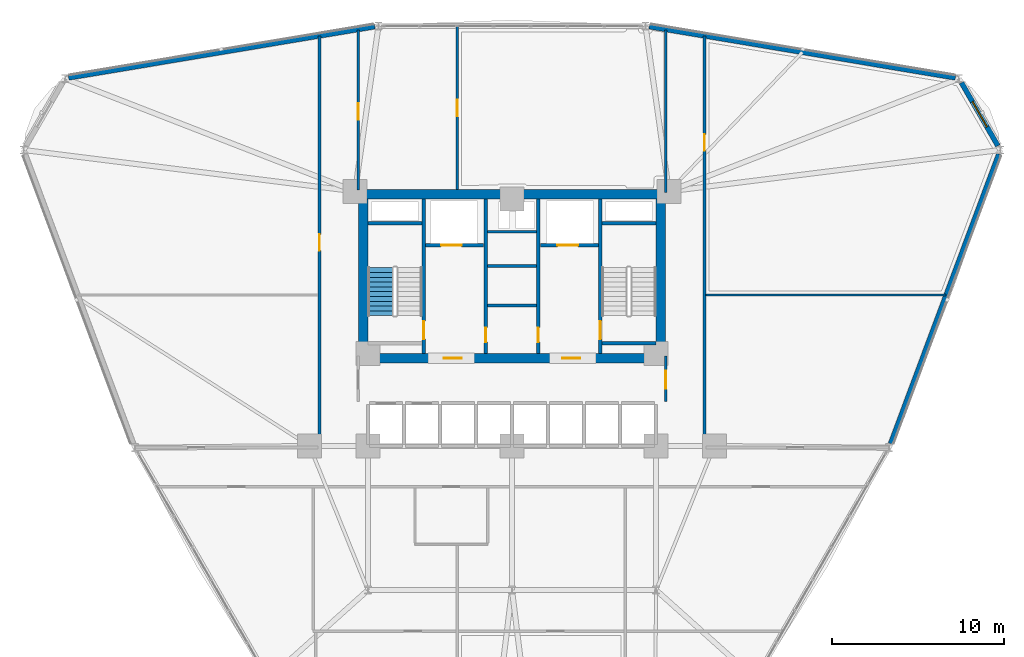
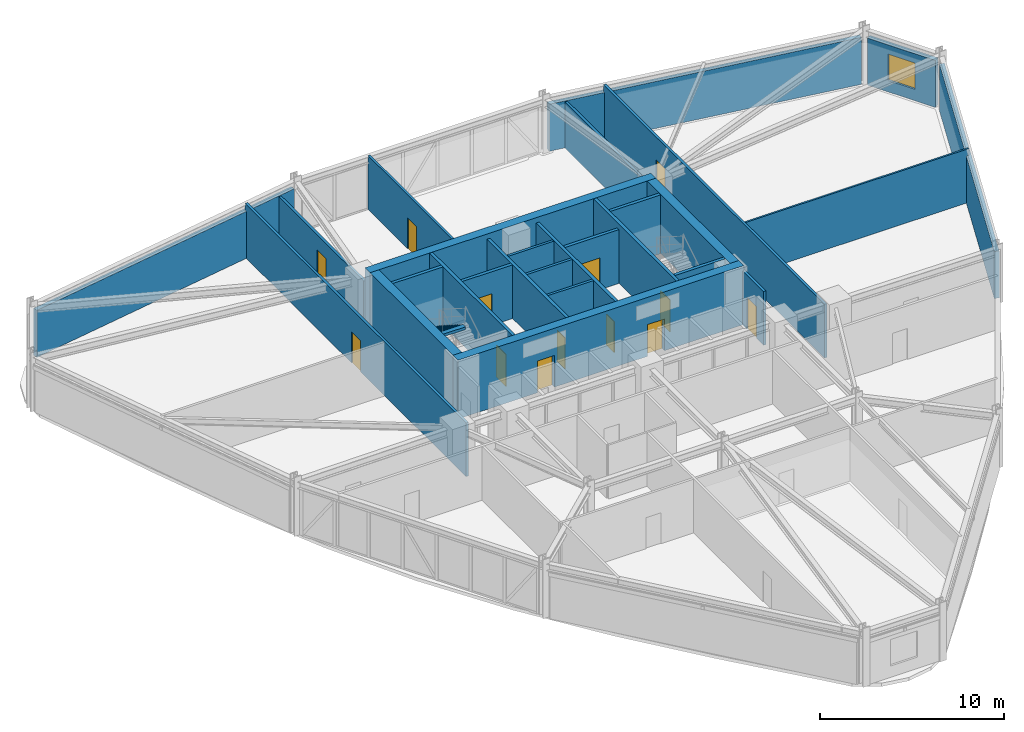
# One storey, part 17 of 22: 27 walls, 13 doors, 1 stair flight, 1 window, 14 openings, 1 element without a shape of its own.
"""IFC4 building model written with IfcOpenShell, lengths in metres."""

from ifc_helpers import new_model, si_unit, derived_unit, direction, frame, frame_2d, origin, place, context, subcontext, project, spatial, polyline, rectangle, outline, extrude, material, layer, layer_set, type_object, element, fill, aggregate, save


model = new_model("IFC4")

# Units and contexts
model_context = context("Model", 3, precision=1e-05, world=origin(), true_north=direction((0.0, 1.0)))
body_context = subcontext(model_context, "Body", "Model", "MODEL_VIEW")
ifc_project = project(units=[si_unit("LENGTHUNIT", "METRE"), si_unit("AREAUNIT", "SQUARE_METRE"), si_unit("VOLUMEUNIT", "CUBIC_METRE"), si_unit("PLANEANGLEUNIT", "RADIAN"), si_unit("MASSUNIT", "GRAM", prefix="KILO"), derived_unit("THERMALTRANSMITTANCEUNIT", [(si_unit("POWERUNIT", "WATT"), 1), (si_unit("LENGTHUNIT", "METRE"), -2), (si_unit("THERMODYNAMICTEMPERATUREUNIT", "KELVIN"), -1)])], contexts=[model_context])

# Site, building, storey
site_placement = place(None, origin())
site = spatial("IfcSite", under=ifc_project, at=site_placement, CompositionType="ELEMENT")
building_placement = place(site_placement, origin())
building = spatial("IfcBuilding", under=site, at=building_placement, Name="Korsvarv Bourse and Concert Hall", CompositionType="ELEMENT")
storey_placement = place(building_placement, frame((0.0, 0.0, 55.199951171875)))
storey = spatial("IfcBuildingStorey", under=building, at=storey_placement, Name="L13", CompositionType="ELEMENT", Elevation=55.199951171875)

# Wall, opening, door
ifc_material_1 = material(Name="Concrete C50/60", Category="concrete")
ifc_layer_1 = layer(ifc_material_1, 0.3798828125)
ifc_layer_set_1 = layer_set([ifc_layer_1], Name="Concrete C50/60")
wall_type_1 = type_object("IfcWallType", Name="WL-CORE-380", PredefinedType="SHEAR", material=ifc_layer_set_1)
wall_1_placement = place(storey_placement, frame((30.860107421875, 37.81005859375, 0.0), z_axis=(0.0, 0.0, 1.0), x_axis=(0.0, 1.0, 0.0)))
wall_1 = element("IfcWall", 1, at=wall_1_placement, inside=storey, type_object=wall_type_1, Name="L13 stair shaft structural wall W-L13-ST1-E", PredefinedType="SHEAR", context=body_context, shape_type="SweptSolid", body=[
    extrude(rectangle(XDim=8.97998046875, YDim=0.199951171875, at=frame_2d((4.489990234375, 0.0))), origin(), (0.0, 0.0, 1.0), 3.900146484375),
])
opening_1_placement = place(wall_1_placement, frame((0.820068359375, 0.0, 0.0)))
opening_1 = element("IfcOpeningElement", 2, at=opening_1_placement, cuts=wall_1, Name="Opening D-01", PredefinedType="OPENING", context=body_context, shape_type="SweptSolid", body=[
    extrude(rectangle(XDim=1.050048828125, YDim=2.10009765625, at=frame_2d((0.52490234375, 1.050048828125))), frame((0.0, 0.10986328125, 0.0), z_axis=(0.0, -1.0, 0.0), x_axis=(1.0, 0.0, 0.0)), (0.0, 0.0, 1.0), 0.219970703125),
])
ifc_material_2 = material(Name="Steel S355 fire door", Category="steel")
door_type_1 = type_object("IfcDoorType", Name="DR-FD60", OperationType="NOTDEFINED", PredefinedType="DOOR", material=ifc_material_2)
door_1_placement = place(opening_1_placement, origin())
door_1 = element("IfcDoor", 3, at=door_1_placement, inside=storey, type_object=door_type_1, Name="L13 interior door DR-L13-ST1", OperationType="SINGLE_SWING_RIGHT", OverallHeight=2.10009765625, OverallWidth=1.050048828125, PredefinedType="DOOR", context=body_context, shape_type="SweptSolid", body=[
    extrude(rectangle(XDim=1.050048828125, YDim=2.10009765625, at=frame_2d((0.52490234375, 1.050048828125))), frame((0.0, 0.02490234375, 0.0), z_axis=(0.0, -1.0, 0.0), x_axis=(1.0, 0.0, 0.0)), (0.0, 0.0, 1.0), 0.050048828125),
])
fill(opening_1, door_1)

# Wall
wall_2_placement = place(storey_placement, frame((27.610107421875, 45.39990234375, 0.0), z_axis=(0.0, 0.0, 1.0), x_axis=(1.0, 0.0, 0.0)))
element("IfcWall", 4, at=wall_2_placement, inside=storey, type_object=wall_type_1, Name="L13 stair shaft structural wall W-L13-ST1-N", PredefinedType="SHEAR", context=body_context, shape_type="SweptSolid", body=[
    extrude(rectangle(XDim=3.139892578125, YDim=0.199951171875, at=frame_2d((1.56982421875, 0.0))), origin(), (0.0, 0.0, 1.0), 3.900146484375),
])

# Wall, opening, door
wall_3_placement = place(storey_placement, frame((41.139892578125, 37.81005859375, 0.0), z_axis=(0.0, 0.0, 1.0), x_axis=(0.0, 1.0, 0.0)))
wall_3 = element("IfcWall", 5, at=wall_3_placement, inside=storey, type_object=wall_type_1, Name="L13 stair shaft structural wall W-L13-ST2-W", PredefinedType="SHEAR", context=body_context, shape_type="SweptSolid", body=[
    extrude(rectangle(XDim=8.97998046875, YDim=0.199951171875, at=frame_2d((4.489990234375, 0.0))), origin(), (0.0, 0.0, 1.0), 3.900146484375),
])
opening_2_placement = place(wall_3_placement, frame((0.820068359375, 0.0, 0.0)))
opening_2 = element("IfcOpeningElement", 6, at=opening_2_placement, cuts=wall_3, Name="Opening D-01", PredefinedType="OPENING", context=body_context, shape_type="SweptSolid", body=[
    extrude(rectangle(XDim=1.050048828125, YDim=2.10009765625, at=frame_2d((0.52490234375, 1.050048828125))), frame((0.0, 0.10986328125, 0.0), z_axis=(0.0, -1.0, 0.0), x_axis=(1.0, 0.0, 0.0)), (0.0, 0.0, 1.0), 0.219970703125),
])
door_2_placement = place(opening_2_placement, frame((1.050048828125, 0.0, 0.0), z_axis=(0.0, 0.0, 1.0), x_axis=(-1.0, 0.0, 0.0)))
door_2 = element("IfcDoor", 7, at=door_2_placement, inside=storey, type_object=door_type_1, Name="L13 interior door DR-L13-ST2", OperationType="SINGLE_SWING_LEFT", OverallHeight=2.10009765625, OverallWidth=1.050048828125, PredefinedType="DOOR", context=body_context, shape_type="SweptSolid", body=[
    extrude(rectangle(XDim=1.050048828125, YDim=2.10009765625, at=frame_2d((0.52490234375, 1.050048828125))), frame((0.0, 0.02490234375, 0.0), z_axis=(0.0, -1.0, 0.0), x_axis=(1.0, 0.0, 0.0)), (0.0, 0.0, 1.0), 0.050048828125),
])
fill(opening_2, door_2)

# Walls
for number, where, z_axis, x_axis, name in (
    (8, (41.25, 45.39990234375, 0.0), (0.0, 0.0, 1.0), (1.0, 0.0, 0.0), "L13 stair shaft structural wall W-L13-ST2-N"),
    (9, (41.25, 38.39990234375, 0.0), (0.0, 0.0, 1.0), (1.0, 0.0, 0.0), "L13 stair shaft structural wall W-L13-ST2-S"),
):
    element("IfcWall", number, at=place(storey_placement, frame(where, z_axis=z_axis, x_axis=x_axis)), inside=storey, type_object=wall_type_1, Name=name, PredefinedType="SHEAR", context=body_context, shape_type="SweptSolid", body=[
        extrude(rectangle(XDim=3.139892578125, YDim=0.199951171875, at=frame_2d((1.56982421875, 0.0))), origin(), (0.0, 0.0, 1.0), 3.900146484375),
    ])
ifc_material_3 = material(Name="Concrete C60/75", Category="concrete")
ifc_layer_2 = layer(ifc_material_3, 0.550048828125)
ifc_layer_set_2 = layer_set([ifc_layer_2], Name="Concrete C60/75")
wall_type_2 = type_object("IfcWallType", Name="WL-CORE-550", PredefinedType="SHEAR", material=ifc_layer_set_2)
wall_4_placement = place(storey_placement, frame((27.050048828125, 47.074951171875, 0.0), z_axis=(0.0, 0.0, 1.0), x_axis=(1.0, 0.0, 0.0)))
element("IfcWall", 10, at=wall_4_placement, inside=storey, type_object=wall_type_2, Name="L13 North Core Shear Wall", PredefinedType="SHEAR", context=body_context, shape_type="SweptSolid", body=[
    extrude(rectangle(XDim=17.89990234375, YDim=0.550048828125, at=frame_2d((8.949951171875, 0.0))), origin(), (0.0, 0.0, 1.0), 3.900146484375),
])

# Wall, openings, doors
wall_5_placement = place(storey_placement, frame((27.050048828125, 37.52490234375, 0.0), z_axis=(0.0, 0.0, 1.0), x_axis=(1.0, 0.0, 0.0)))
wall_5 = element("IfcWall", 11, at=wall_5_placement, inside=storey, type_object=wall_type_2, Name="L13 South Core Shear Wall", PredefinedType="SHEAR", context=body_context, shape_type="SweptSolid", body=[
    extrude(rectangle(XDim=17.89990234375, YDim=0.550048828125, at=frame_2d((8.949951171875, 0.0))), origin(), (0.0, 0.0, 1.0), 3.900146484375),
])
opening_3_placement = place(wall_5_placement, frame((4.97509765625, 0.0, 0.0)))
opening_3 = element("IfcOpeningElement", 12, at=opening_3_placement, cuts=wall_5, Name="Opening D-01", PredefinedType="OPENING", context=body_context, shape_type="SweptSolid", body=[
    extrude(rectangle(XDim=1.050048828125, YDim=2.10009765625, at=frame_2d((0.52490234375, 1.050048828125))), frame((0.0, 0.28515625, 0.0), z_axis=(0.0, -1.0, 0.0), x_axis=(1.0, 0.0, 0.0)), (0.0, 0.0, 1.0), 0.570068359375),
])
opening_4_placement = place(wall_5_placement, frame((11.875, 0.0, 0.0)))
opening_4 = element("IfcOpeningElement", 13, at=opening_4_placement, cuts=wall_5, Name="Opening D-01", PredefinedType="OPENING", context=body_context, shape_type="SweptSolid", body=[
    extrude(rectangle(XDim=1.050048828125, YDim=2.10009765625, at=frame_2d((0.52490234375, 1.050048828125))), frame((0.0, 0.28515625, 0.0), z_axis=(0.0, -1.0, 0.0), x_axis=(1.0, 0.0, 0.0)), (0.0, 0.0, 1.0), 0.570068359375),
])
door_3_placement = place(opening_3_placement, frame((1.050048828125, 0.0, 0.0), z_axis=(0.0, 0.0, 1.0), x_axis=(-1.0, 0.0, 0.0)))
door_3 = element("IfcDoor", 14, at=door_3_placement, inside=storey, type_object=door_type_1, Name="L13 firefighting lobby fire door DR-L13-FFLW", OperationType="SINGLE_SWING_RIGHT", OverallHeight=2.10009765625, OverallWidth=1.050048828125, PredefinedType="DOOR", context=body_context, shape_type="SweptSolid", body=[
    extrude(rectangle(XDim=1.050048828125, YDim=2.10009765625, at=frame_2d((0.52490234375, 1.050048828125))), frame((0.0, 0.02490234375, 0.0), z_axis=(0.0, -1.0, 0.0), x_axis=(1.0, 0.0, 0.0)), (0.0, 0.0, 1.0), 0.050048828125),
])
fill(opening_3, door_3)
door_4_placement = place(opening_4_placement, frame((1.050048828125, 0.0, 0.0), z_axis=(0.0, 0.0, 1.0), x_axis=(-1.0, 0.0, 0.0)))
door_4 = element("IfcDoor", 15, at=door_4_placement, inside=storey, type_object=door_type_1, Name="L13 firefighting lobby fire door DR-L13-FFLE", OperationType="SINGLE_SWING_LEFT", OverallHeight=2.10009765625, OverallWidth=1.050048828125, PredefinedType="DOOR", context=body_context, shape_type="SweptSolid", body=[
    extrude(rectangle(XDim=1.050048828125, YDim=2.10009765625, at=frame_2d((0.52490234375, 1.050048828125))), frame((0.0, 0.02490234375, 0.0), z_axis=(0.0, -1.0, 0.0), x_axis=(1.0, 0.0, 0.0)), (0.0, 0.0, 1.0), 0.050048828125),
])
fill(opening_4, door_4)

# Walls
for number, where, z_axis, x_axis, name in (
    (16, (27.324951171875, 37.800048828125, 0.0), (0.0, 0.0, 1.0), (0.0, 1.0, 0.0), "L13 West Core Shear Wall"),
    (17, (44.675048828125, 37.800048828125, 0.0), (0.0, 0.0, 1.0), (0.0, 1.0, 0.0), "L13 East Core Shear Wall"),
):
    element("IfcWall", number, at=place(storey_placement, frame(where, z_axis=z_axis, x_axis=x_axis)), inside=storey, type_object=wall_type_2, Name=name, PredefinedType="SHEAR", context=body_context, shape_type="SweptSolid", body=[
        extrude(rectangle(XDim=9.0, YDim=0.550048828125, at=frame_2d((4.5, 0.0))), origin(), (0.0, 0.0, 1.0), 3.900146484375),
    ])

# Wall, opening, window
ifc_material_4 = material(Name="Precast concrete C45/55 with terracotta rainscreen", Category="concrete")
ifc_layer_3 = layer(ifc_material_4, 0.300048828125)
ifc_layer_set_3 = layer_set([ifc_layer_3], Name="Precast concrete C45/55 with terracotta rainscreen")
wall_type_3 = type_object("IfcWallType", Name="WL-EXT-TC1", PredefinedType="SOLIDWALL", material=ifc_layer_set_3)
wall_6_placement = place(storey_placement, frame((64.3349609375, 49.904296875, 0.0), z_axis=(0.0, 0.0, 1.0), x_axis=(-0.500017365573, 0.866015377534, 0.0)))
wall_6 = element("IfcWall", 18, at=wall_6_placement, inside=storey, type_object=wall_type_3, Name="L13 terracotta exterior wall EW-L13-B01", PredefinedType="SOLIDWALL", context=body_context, shape_type="SweptSolid", body=[
    extrude(rectangle(XDim=4.251708984375, YDim=0.300048828125, at=frame_2d((2.1259765625, 0.0))), origin(), (0.0, 0.0, 1.0), 3.110107421875),
])
opening_5_placement = place(wall_6_placement, frame((1.27587890625, 0.0, 0.75)))
opening_5 = element("IfcOpeningElement", 19, at=opening_5_placement, cuts=wall_6, Name="Opening W-01", PredefinedType="OPENING", context=body_context, shape_type="SweptSolid", body=[
    extrude(rectangle(XDim=1.699951171875, YDim=1.75, at=frame_2d((0.85009765625, 0.875))), frame((0.0, 0.16015625, 0.0), z_axis=(0.0, -1.0, 0.0), x_axis=(1.0, 0.0, 0.0)), (0.0, 0.0, 1.0), 0.320068359375),
])
ifc_material_5 = material(Name="Thermally broken aluminium frame with triple low-E glass", Category="glass")
window_type = type_object("IfcWindowType", Name="WIN-TW1", PartitioningType="SINGLE_PANEL", PredefinedType="WINDOW", material=ifc_material_5)
window_placement = place(opening_5_placement, origin())
window = element("IfcWindow", 20, at=window_placement, inside=storey, type_object=window_type, Name="L13 punched facade window W-01", OverallHeight=1.75, OverallWidth=1.699951171875, PartitioningType="SINGLE_PANEL", PredefinedType="WINDOW", context=body_context, shape_type="SweptSolid", body=[
    extrude(rectangle(XDim=1.699951171875, YDim=1.75, at=frame_2d((0.85009765625, 0.875))), frame((0.0, 0.030029296875, 0.0), z_axis=(0.0, -1.0, 0.0), x_axis=(1.0, 0.0, 0.0)), (0.0, 0.0, 1.0), 0.06005859375),
])
fill(opening_5, window)

# Walls
ifc_material_6 = material(Name="Precast concrete C45/55 with fluted terracotta pier", Category="concrete")
ifc_layer_4 = layer(ifc_material_6, 0.280029296875)
ifc_layer_set_4 = layer_set([ifc_layer_4], Name="Precast concrete C45/55 with fluted terracotta pier")
wall_type_4 = type_object("IfcWallType", Name="WL-EXT-TC2", PredefinedType="SOLIDWALL", material=ifc_layer_set_4)
for number, where, z_axis, x_axis, name in (
    (21, (61.852294921875, 53.86474609375, 0.0), (0.0, 0.0, 1.0), (-0.986273350987, 0.165120795577, 0.0), "L13 terracotta exterior wall EW-L13-B02"),
    (22, (27.998291015625, 56.853271484375, 0.0), (0.0, 0.0, 1.0), (-0.986273350987, -0.165120795577, 0.0), "L13 terracotta exterior wall EW-L13-B04"),
):
    element("IfcWall", number, at=place(storey_placement, frame(where, z_axis=z_axis, x_axis=x_axis)), inside=storey, type_object=wall_type_4, Name=name, PredefinedType="SOLIDWALL", context=body_context, shape_type="SweptSolid", body=[
        extrude(rectangle(XDim=18.09912109375, YDim=0.280029296875, at=frame_2d((9.049560546875, 0.0))), origin(), (0.0, 0.0, 1.0), 3.110107421875),
    ])
wall_7_placement = place(storey_placement, frame((58.07373046875, 32.5390625, 0.0), z_axis=(0.0, 0.0, 1.0), x_axis=(0.350140465982, 0.936697205121, 0.0)))
element("IfcWall", 23, at=wall_7_placement, inside=storey, type_object=wall_type_4, Name="L13 terracotta exterior wall EW-L13-B12", PredefinedType="SOLIDWALL", context=body_context, shape_type="SweptSolid", body=[
    extrude(rectangle(XDim=18.022216796875, YDim=0.280029296875, at=frame_2d((9.01123046875, 0.0))), origin(), (0.0, 0.0, 1.0), 3.110107421875),
])

# Wall, opening, door
ifc_material_7 = material(Name="Reinforced concrete blockwork C35/45 fire wall", Category="concrete")
ifc_layer_5 = layer(ifc_material_7, 0.199951171875)
ifc_layer_set_5 = layer_set([ifc_layer_5], Name="Reinforced concrete blockwork C35/45 fire wall")
wall_type_5 = type_object("IfcWallType", Name="WL-INT-EI120", PredefinedType="PARTITIONING", material=ifc_layer_set_5)
wall_8_placement = place(storey_placement, frame((30.969970703125, 44.10009765625, 0.0), z_axis=(0.0, 0.0, 1.0), x_axis=(1.0, 0.0, 0.0)))
wall_8 = element("IfcWall", 24, at=wall_8_placement, inside=storey, type_object=wall_type_5, Name="L13 interior partition wall W-L13-FF1-S", PredefinedType="PARTITIONING", context=body_context, shape_type="SweptSolid", body=[
    extrude(rectangle(XDim=3.380126953125, YDim=0.199951171875, at=frame_2d((1.68994140625, 0.0))), origin(), (0.0, 0.0, 1.0), 3.56005859375),
])
opening_6_placement = place(wall_8_placement, frame((0.89990234375, 0.0, 0.0)))
opening_6 = element("IfcOpeningElement", 25, at=opening_6_placement, cuts=wall_8, Name="Opening LD-1", PredefinedType="OPENING", context=body_context, shape_type="SweptSolid", body=[
    extrude(rectangle(XDim=1.199951171875, YDim=2.10009765625, at=frame_2d((0.60009765625, 1.050048828125))), frame((0.0, 0.10986328125, 0.0), z_axis=(0.0, -1.0, 0.0), x_axis=(1.0, 0.0, 0.0)), (0.0, 0.0, 1.0), 0.219970703125),
])
ifc_material_8 = material(Name="Stainless Steel S355 firefighting lift landing door", Category="steel")
door_type_2 = type_object("IfcDoorType", Name="DR-LIFT-FF", OperationType="DOUBLE_DOOR_SLIDING", PredefinedType="DOOR", material=ifc_material_8)
door_5_placement = place(opening_6_placement, origin())
door_5 = element("IfcDoor", 26, at=door_5_placement, inside=storey, type_object=door_type_2, Name="L13 lift sliding landing door LD-L13-FF1", OperationType="DOUBLE_DOOR_SLIDING", OverallHeight=2.10009765625, OverallWidth=1.199951171875, PredefinedType="DOOR", context=body_context, shape_type="SweptSolid", body=[
    extrude(rectangle(XDim=1.199951171875, YDim=2.10009765625, at=frame_2d((0.60009765625, 1.050048828125))), frame((0.0, 0.02490234375, 0.0), z_axis=(0.0, -1.0, 0.0), x_axis=(1.0, 0.0, 0.0)), (0.0, 0.0, 1.0), 0.050048828125),
])
fill(opening_6, door_5)

wall_9_placement = place(storey_placement, frame((37.64990234375, 44.10009765625, 0.0), z_axis=(0.0, 0.0, 1.0), x_axis=(1.0, 0.0, 0.0)))
wall_9 = element("IfcWall", 27, at=wall_9_placement, inside=storey, type_object=wall_type_5, Name="L13 interior partition wall W-L13-FF2-S", PredefinedType="PARTITIONING", context=body_context, shape_type="SweptSolid", body=[
    extrude(rectangle(XDim=3.380126953125, YDim=0.199951171875, at=frame_2d((1.68994140625, 0.0))), origin(), (0.0, 0.0, 1.0), 3.56005859375),
])
opening_7_placement = place(wall_9_placement, frame((1.0, 0.0, 0.0)))
opening_7 = element("IfcOpeningElement", 28, at=opening_7_placement, cuts=wall_9, Name="Opening LD-1", PredefinedType="OPENING", context=body_context, shape_type="SweptSolid", body=[
    extrude(rectangle(XDim=1.199951171875, YDim=2.10009765625, at=frame_2d((0.60009765625, 1.050048828125))), frame((0.0, 0.10986328125, 0.0), z_axis=(0.0, -1.0, 0.0), x_axis=(1.0, 0.0, 0.0)), (0.0, 0.0, 1.0), 0.219970703125),
])
door_6_placement = place(opening_7_placement, origin())
door_6 = element("IfcDoor", 29, at=door_6_placement, inside=storey, type_object=door_type_2, Name="L13 lift sliding landing door LD-L13-FF2", OperationType="DOUBLE_DOOR_SLIDING", OverallHeight=2.10009765625, OverallWidth=1.199951171875, PredefinedType="DOOR", context=body_context, shape_type="SweptSolid", body=[
    extrude(rectangle(XDim=1.199951171875, YDim=2.10009765625, at=frame_2d((0.60009765625, 1.050048828125))), frame((0.0, 0.02490234375, 0.0), z_axis=(0.0, -1.0, 0.0), x_axis=(1.0, 0.0, 0.0)), (0.0, 0.0, 1.0), 0.050048828125),
])
fill(opening_7, door_6)

wall_10_placement = place(storey_placement, frame((34.4599609375, 37.81005859375, 0.0), z_axis=(0.0, 0.0, 1.0), x_axis=(0.0, 1.0, 0.0)))
wall_10 = element("IfcWall", 30, at=wall_10_placement, inside=storey, type_object=wall_type_5, Name="L13 interior partition wall W-L13-CSB-W", PredefinedType="PARTITIONING", context=body_context, shape_type="SweptSolid", body=[
    extrude(rectangle(XDim=8.97998046875, YDim=0.199951171875, at=frame_2d((4.489990234375, 0.0))), origin(), (0.0, 0.0, 1.0), 3.56005859375),
])
opening_8_placement = place(wall_10_placement, frame((0.64990234375, 0.0, 0.0)))
opening_8 = element("IfcOpeningElement", 31, at=opening_8_placement, cuts=wall_10, Name="Opening D-05", PredefinedType="OPENING", context=body_context, shape_type="SweptSolid", body=[
    extrude(rectangle(XDim=0.85009765625, YDim=2.050048828125, at=frame_2d((0.425048828125, 1.02490234375))), frame((0.0, 0.10986328125, 0.0), z_axis=(0.0, -1.0, 0.0), x_axis=(1.0, 0.0, 0.0)), (0.0, 0.0, 1.0), 0.219970703125),
])
door_type_3 = type_object("IfcDoorType", Name="DR-FD60-850X2050", OperationType="NOTDEFINED", PredefinedType="DOOR", material=ifc_material_2)
door_7_placement = place(opening_8_placement, frame((0.85009765625, 0.0, 0.0), z_axis=(0.0, 0.0, 1.0), x_axis=(-1.0, 0.0, 0.0)))
door_7 = element("IfcDoor", 32, at=door_7_placement, inside=storey, type_object=door_type_3, Name="L13 interior door DR-L13-CSB1", OperationType="SINGLE_SWING_RIGHT", OverallHeight=2.050048828125, OverallWidth=0.85009765625, PredefinedType="DOOR", context=body_context, shape_type="SweptSolid", body=[
    extrude(rectangle(XDim=0.85009765625, YDim=2.050048828125, at=frame_2d((0.425048828125, 1.02490234375))), frame((0.0, 0.02490234375, 0.0), z_axis=(0.0, -1.0, 0.0), x_axis=(1.0, 0.0, 0.0)), (0.0, 0.0, 1.0), 0.050048828125),
])
fill(opening_8, door_7)

wall_11_placement = place(storey_placement, frame((37.5400390625, 37.81005859375, 0.0), z_axis=(0.0, 0.0, 1.0), x_axis=(0.0, 1.0, 0.0)))
wall_11 = element("IfcWall", 33, at=wall_11_placement, inside=storey, type_object=wall_type_5, Name="L13 interior partition wall W-L13-CSB-E", PredefinedType="PARTITIONING", context=body_context, shape_type="SweptSolid", body=[
    extrude(rectangle(XDim=8.97998046875, YDim=0.199951171875, at=frame_2d((4.489990234375, 0.0))), origin(), (0.0, 0.0, 1.0), 3.56005859375),
])
opening_9_placement = place(wall_11_placement, frame((0.64990234375, 0.0, 0.0)))
opening_9 = element("IfcOpeningElement", 34, at=opening_9_placement, cuts=wall_11, Name="Opening D-05", PredefinedType="OPENING", context=body_context, shape_type="SweptSolid", body=[
    extrude(rectangle(XDim=0.85009765625, YDim=2.050048828125, at=frame_2d((0.425048828125, 1.02490234375))), frame((0.0, 0.10986328125, 0.0), z_axis=(0.0, -1.0, 0.0), x_axis=(1.0, 0.0, 0.0)), (0.0, 0.0, 1.0), 0.219970703125),
])
door_8_placement = place(opening_9_placement, origin())
door_8 = element("IfcDoor", 35, at=door_8_placement, inside=storey, type_object=door_type_3, Name="L13 interior door DR-L13-CSB2", OperationType="SINGLE_SWING_LEFT", OverallHeight=2.050048828125, OverallWidth=0.85009765625, PredefinedType="DOOR", context=body_context, shape_type="SweptSolid", body=[
    extrude(rectangle(XDim=0.85009765625, YDim=2.050048828125, at=frame_2d((0.425048828125, 1.02490234375))), frame((0.0, 0.02490234375, 0.0), z_axis=(0.0, -1.0, 0.0), x_axis=(1.0, 0.0, 0.0)), (0.0, 0.0, 1.0), 0.050048828125),
])
fill(opening_9, door_8)

# Walls
ifc_material_9 = material(Name="Double-stud fire-rated acoustic partition", Category="gypsum")
ifc_layer_6 = layer(ifc_material_9, 0.159912109375)
ifc_layer_set_6 = layer_set([ifc_layer_6], Name="Double-stud fire-rated acoustic partition")
wall_type_6 = type_object("IfcWallType", Name="WL-INT-EI60", PredefinedType="PARTITIONING", material=ifc_layer_set_6)
for number, where, z_axis, x_axis, name in (
    (36, (34.570068359375, 40.60009765625, 0.0), (0.0, 0.0, 1.0), (1.0, 0.0, 0.0), "L13 interior partition wall W-L13-K1"),
    (37, (34.570068359375, 42.89990234375, 0.0), (0.0, 0.0, 1.0), (1.0, 0.0, 0.0), "L13 interior partition wall W-L13-K2"),
    (38, (34.570068359375, 44.89990234375, 0.0), (0.0, 0.0, 1.0), (1.0, 0.0, 0.0), "L13 interior partition wall W-L13-K3"),
):
    element("IfcWall", number, at=place(storey_placement, frame(where, z_axis=z_axis, x_axis=x_axis)), inside=storey, type_object=wall_type_6, Name=name, PredefinedType="PARTITIONING", context=body_context, shape_type="SweptSolid", body=[
        extrude(rectangle(XDim=2.85986328125, YDim=0.159912109375, at=frame_2d((1.429931640625, 0.0))), origin(), (0.0, 0.0, 1.0), 3.56005859375),
    ])

# Wall, opening, door
wall_12_placement = place(storey_placement, frame((44.9599609375, 35.0, 0.0), z_axis=(0.0, 0.0, 1.0), x_axis=(0.0, 1.0, 0.0)))
wall_12 = element("IfcWall", 39, at=wall_12_placement, inside=storey, type_object=wall_type_6, Name="L13 interior partition wall W-L13-LOB-E", PredefinedType="PARTITIONING", context=body_context, shape_type="SweptSolid", body=[
    extrude(rectangle(XDim=2.64990234375, YDim=0.159912109375, at=frame_2d((1.324951171875, 0.0))), origin(), (0.0, 0.0, 1.0), 3.56005859375),
])
opening_10_placement = place(wall_12_placement, frame((0.75, 0.0, 0.0)))
opening_10 = element("IfcOpeningElement", 40, at=opening_10_placement, cuts=wall_12, Name="Opening D-01", PredefinedType="OPENING", context=body_context, shape_type="SweptSolid", body=[
    extrude(rectangle(XDim=1.050048828125, YDim=2.10009765625, at=frame_2d((0.52490234375, 1.050048828125))), frame((0.0, 0.08984375, 0.0), z_axis=(0.0, -1.0, 0.0), x_axis=(1.0, 0.0, 0.0)), (0.0, 0.0, 1.0), 0.179931640625),
])
door_9_placement = place(opening_10_placement, origin())
door_9 = element("IfcDoor", 41, at=door_9_placement, inside=storey, type_object=door_type_1, Name="L13 interior door DR-L13-LOBE", OperationType="SINGLE_SWING_LEFT", OverallHeight=2.10009765625, OverallWidth=1.050048828125, PredefinedType="DOOR", context=body_context, shape_type="SweptSolid", body=[
    extrude(rectangle(XDim=1.050048828125, YDim=2.10009765625, at=frame_2d((0.52490234375, 1.050048828125))), frame((0.0, 0.02490234375, 0.0), z_axis=(0.0, -1.0, 0.0), x_axis=(1.0, 0.0, 0.0)), (0.0, 0.0, 1.0), 0.050048828125),
])
fill(opening_10, door_9)

wall_13_placement = place(storey_placement, frame((47.22509765625, 32.31005859375, 0.0), z_axis=(0.0, 0.0, 1.0), x_axis=(0.0, 1.0, 0.0)))
wall_13 = element("IfcWall", 42, at=wall_13_placement, inside=storey, type_object=wall_type_6, Name="L13 interior partition wall W-L13-TCOR-02", PredefinedType="PARTITIONING", context=body_context, shape_type="SweptSolid", body=[
    extrude(rectangle(XDim=23.983642578125, YDim=0.159912109375, at=frame_2d((11.99169921875, 0.0))), origin(), (0.0, 0.0, 1.0), 3.56005859375),
])
opening_11_placement = place(wall_13_placement, frame((17.311279296875, 0.0, 0.0)))
opening_11 = element("IfcOpeningElement", 43, at=opening_11_placement, cuts=wall_13, Name="Opening D-02", PredefinedType="OPENING", context=body_context, shape_type="SweptSolid", body=[
    extrude(rectangle(XDim=0.949951171875, YDim=2.050048828125, at=frame_2d((0.47509765625, 1.02490234375))), frame((0.0, 0.08984375, 0.0), z_axis=(0.0, -1.0, 0.0), x_axis=(1.0, 0.0, 0.0)), (0.0, 0.0, 1.0), 0.179931640625),
])
ifc_material_10 = material(Name="Timber and steel acoustic fire door", Category="wood")
door_type_4 = type_object("IfcDoorType", Name="DR-FD30", OperationType="NOTDEFINED", PredefinedType="DOOR", material=ifc_material_10)
door_10_placement = place(opening_11_placement, origin())
door_10 = element("IfcDoor", 44, at=door_10_placement, inside=storey, type_object=door_type_4, Name="L13 interior door DR-L13-TCOR-MF102", OperationType="SINGLE_SWING_LEFT", OverallHeight=2.050048828125, OverallWidth=0.949951171875, PredefinedType="DOOR", context=body_context, shape_type="SweptSolid", body=[
    extrude(rectangle(XDim=0.949951171875, YDim=2.050048828125, at=frame_2d((0.47509765625, 1.02490234375))), frame((0.0, 0.02490234375, 0.0), z_axis=(0.0, -1.0, 0.0), x_axis=(1.0, 0.0, 0.0)), (0.0, 0.0, 1.0), 0.050048828125),
])
fill(opening_11, door_10)

wall_14_placement = place(storey_placement, frame((24.77490234375, 32.31005859375, 0.0), z_axis=(0.0, 0.0, 1.0), x_axis=(0.0, 1.0, 0.0)))
wall_14 = element("IfcWall", 45, at=wall_14_placement, inside=storey, type_object=wall_type_6, Name="L13 interior partition wall W-L13-TCOR-03", PredefinedType="PARTITIONING", context=body_context, shape_type="SweptSolid", body=[
    extrude(rectangle(XDim=23.983642578125, YDim=0.159912109375, at=frame_2d((11.99169921875, 0.0))), origin(), (0.0, 0.0, 1.0), 3.56005859375),
])
opening_12_placement = place(wall_14_placement, frame((11.47705078125, 0.0, 0.0)))
opening_12 = element("IfcOpeningElement", 46, at=opening_12_placement, cuts=wall_14, Name="Opening D-02", PredefinedType="OPENING", context=body_context, shape_type="SweptSolid", body=[
    extrude(rectangle(XDim=0.949951171875, YDim=2.050048828125, at=frame_2d((0.47509765625, 1.02490234375))), frame((0.0, 0.08984375, 0.0), z_axis=(0.0, -1.0, 0.0), x_axis=(1.0, 0.0, 0.0)), (0.0, 0.0, 1.0), 0.179931640625),
])
door_11_placement = place(opening_12_placement, origin())
door_11 = element("IfcDoor", 47, at=door_11_placement, inside=storey, type_object=door_type_4, Name="L13 interior door DR-L13-TCOR-MF813", OperationType="SINGLE_SWING_RIGHT", OverallHeight=2.050048828125, OverallWidth=0.949951171875, PredefinedType="DOOR", context=body_context, shape_type="SweptSolid", body=[
    extrude(rectangle(XDim=0.949951171875, YDim=2.050048828125, at=frame_2d((0.47509765625, 1.02490234375))), frame((0.0, 0.02490234375, 0.0), z_axis=(0.0, -1.0, 0.0), x_axis=(1.0, 0.0, 0.0)), (0.0, 0.0, 1.0), 0.050048828125),
])
fill(opening_12, door_11)

# Wall
wall_15_placement = place(storey_placement, frame((44.965087890625, 47.179931640625, 0.0), z_axis=(0.0, 0.0, 1.0), x_axis=(0.0, 1.0, 0.0)))
element("IfcWall", 48, at=wall_15_placement, inside=storey, type_object=wall_type_6, Name="L13 interior partition wall W-L13-TCOR-06", PredefinedType="PARTITIONING", context=body_context, shape_type="SweptSolid", body=[
    extrude(rectangle(XDim=9.491943359375, YDim=0.159912109375, at=frame_2d((4.74609375, 0.0))), origin(), (0.0, 0.0, 1.0), 3.06005859375),
])

# Wall, opening, door
wall_16_placement = place(storey_placement, frame((27.034912109375, 47.340087890625, 0.0), z_axis=(0.0, 0.0, 1.0), x_axis=(0.0, 1.0, 0.0)))
wall_16 = element("IfcWall", 49, at=wall_16_placement, inside=storey, type_object=wall_type_6, Name="L13 interior partition wall W-L13-TCOR-07", PredefinedType="PARTITIONING", context=body_context, shape_type="SweptSolid", body=[
    extrude(rectangle(XDim=9.331787109375, YDim=0.159912109375, at=frame_2d((4.666015625, 0.0))), origin(), (0.0, 0.0, 1.0), 3.06005859375),
])
opening_13_placement = place(wall_16_placement, frame((4.086181640625, 0.0, 0.0)))
opening_13 = element("IfcOpeningElement", 50, at=opening_13_placement, cuts=wall_16, Name="Opening D-02", PredefinedType="OPENING", context=body_context, shape_type="SweptSolid", body=[
    extrude(rectangle(XDim=0.949951171875, YDim=2.050048828125, at=frame_2d((0.47509765625, 1.02490234375))), frame((0.0, 0.08984375, 0.0), z_axis=(0.0, -1.0, 0.0), x_axis=(1.0, 0.0, 0.0)), (0.0, 0.0, 1.0), 0.179931640625),
])
door_12_placement = place(opening_13_placement, origin())
door_12 = element("IfcDoor", 51, at=door_12_placement, inside=storey, type_object=door_type_4, Name="L13 interior door DR-L13-TCOR-RM1010", OperationType="SINGLE_SWING_LEFT", OverallHeight=2.050048828125, OverallWidth=0.949951171875, PredefinedType="DOOR", context=body_context, shape_type="SweptSolid", body=[
    extrude(rectangle(XDim=0.949951171875, YDim=2.050048828125, at=frame_2d((0.47509765625, 1.02490234375))), frame((0.0, 0.02490234375, 0.0), z_axis=(0.0, -1.0, 0.0), x_axis=(1.0, 0.0, 0.0)), (0.0, 0.0, 1.0), 0.050048828125),
])
fill(opening_13, door_12)

# Wall
ifc_material_11 = material(Name="Demountable acoustic glass and aluminium dealing partition", Category="aluminium")
ifc_layer_7 = layer(ifc_material_11, 0.110107421875)
ifc_layer_set_7 = layer_set([ifc_layer_7], Name="Demountable acoustic glass and aluminium dealing partition")
wall_type_7 = type_object("IfcWallType", Name="WL-INT-MOV", PredefinedType="MOVABLE", material=ifc_layer_set_7)
wall_17_placement = place(storey_placement, frame((47.306884765625, 41.205078125, 0.0), z_axis=(0.0, 0.0, 1.0), x_axis=(1.0, 0.0, 0.0)))
element("IfcWall", 52, at=wall_17_placement, inside=storey, type_object=wall_type_7, Name="L13 interior partition wall W-L13-TCOR-11", PredefinedType="MOVABLE", context=body_context, shape_type="SweptSolid", body=[
    extrude(rectangle(XDim=13.986328125, YDim=0.110107421875, at=frame_2d((6.9931640625, 0.0))), origin(), (0.0, 0.0, 1.0), 3.56005859375),
])

# Wall, opening, door
ifc_material_12 = material(Name="Insulated steel-stud office acoustic partition", Category="gypsum")
ifc_layer_8 = layer(ifc_material_12, 0.139892578125)
ifc_layer_set_8 = layer_set([ifc_layer_8], Name="Insulated steel-stud office acoustic partition")
wall_type_8 = type_object("IfcWallType", Name="WL-INT-P1", PredefinedType="PARTITIONING", material=ifc_layer_set_8)
wall_18_placement = place(storey_placement, frame((32.804931640625, 47.35205078125, 0.0), z_axis=(0.0, 0.0, 1.0), x_axis=(0.0, 1.0, 0.0)))
wall_18 = element("IfcWall", 53, at=wall_18_placement, inside=storey, type_object=wall_type_8, Name="L13 interior partition wall W-L13-TCOR-13", PredefinedType="PARTITIONING", context=body_context, shape_type="SweptSolid", body=[
    extrude(rectangle(XDim=9.517333984375, YDim=0.139892578125, at=frame_2d((4.7587890625, 0.0))), origin(), (0.0, 0.0, 1.0), 3.56005859375),
])
opening_14_placement = place(wall_18_placement, frame((4.28369140625, 0.0, 0.0)))
opening_14 = element("IfcOpeningElement", 54, at=opening_14_placement, cuts=wall_18, Name="Opening D-03", PredefinedType="OPENING", context=body_context, shape_type="SweptSolid", body=[
    extrude(rectangle(XDim=0.949951171875, YDim=2.050048828125, at=frame_2d((0.47509765625, 1.02490234375))), frame((0.0, 0.080078125, 0.0), z_axis=(0.0, -1.0, 0.0), x_axis=(1.0, 0.0, 0.0)), (0.0, 0.0, 1.0), 0.159912109375),
])
ifc_material_13 = material(Name="Nordic oak acoustic office door", Category="wood")
door_type_5 = type_object("IfcDoorType", Name="DR-INT-1", OperationType="NOTDEFINED", PredefinedType="DOOR", material=ifc_material_13)
door_13_placement = place(opening_14_placement, origin())
door_13 = element("IfcDoor", 55, at=door_13_placement, inside=storey, type_object=door_type_5, Name="L13 interior door DR-L13-TCOR-RM1111", OperationType="SINGLE_SWING_RIGHT", OverallHeight=2.050048828125, OverallWidth=0.949951171875, PredefinedType="DOOR", context=body_context, shape_type="SweptSolid", body=[
    extrude(rectangle(XDim=0.949951171875, YDim=2.050048828125, at=frame_2d((0.47509765625, 1.02490234375))), frame((0.0, 0.02490234375, 0.0), z_axis=(0.0, -1.0, 0.0), x_axis=(1.0, 0.0, 0.0)), (0.0, 0.0, 1.0), 0.050048828125),
])
fill(opening_14, door_13)

# Stair, stair flight
ifc_material_14 = material(Name="Precast concrete C45/55", Category="concrete")
stair_type = type_object("IfcStairType", Name="STR-TYPE-03", PredefinedType="HALF_TURN_STAIR", material=ifc_material_14)
stair_placement = place(storey_placement, origin())
stair = element("IfcStair", 56, at=stair_placement, inside=storey, type_object=stair_type, Name="L13 Tower West Exit Stair ST-T1", PredefinedType="HALF_TURN_STAIR")
stair_flight_type = type_object("IfcStairFlightType", Name="FLT-TYPE-03", PredefinedType="STRAIGHT", material=ifc_material_14)
stair_flight_placement = place(storey_placement, frame((28.35009765625, 42.800048828125, 1.949951171875), z_axis=(0.0, 0.0, 1.0), x_axis=(0.0, -1.0, 0.0)))
stair_flight = element("IfcStairFlight", 57, at=stair_flight_placement, type_object=stair_flight_type, Name="ST-T1 flight 2", NumberOfRisers=11, NumberOfTreads=10, PredefinedType="STRAIGHT", RiserHeight=0.177272727, TreadLength=0.28, context=body_context, shape_type="SweptSolid", body=[
    extrude(outline(polyline([(0.0, 0.0), (0.0, 0.17724609375), (0.280029296875, 0.17724609375), (0.280029296875, 0.3544921875), (0.56005859375, 0.3544921875), (0.56005859375, 0.53173828125), (0.840087890625, 0.53173828125), (0.840087890625, 0.708984375), (1.1201171875, 0.708984375), (1.1201171875, 0.886474609375), (1.39990234375, 0.886474609375), (1.39990234375, 1.063720703125), (1.679931640625, 1.063720703125), (1.679931640625, 1.240966796875), (1.9599609375, 1.240966796875), (1.9599609375, 1.418212890625), (2.239990234375, 1.418212890625), (2.239990234375, 1.595458984375), (2.52001953125, 1.595458984375), (2.52001953125, 1.772705078125), (2.800048828125, 1.772705078125), (2.800048828125, 1.949951171875), (2.800048828125, 1.59521484375), (0.2802734375, 0.0), (0.0, 0.0)])), frame((0.0, 0.75, 0.0), z_axis=(0.0, -1.0, 0.0), x_axis=(1.0, 0.0, 0.0)), (0.0, 0.0, 1.0), 1.5),
])
aggregate(stair, [stair_flight])

save(model, "model.ifc")
